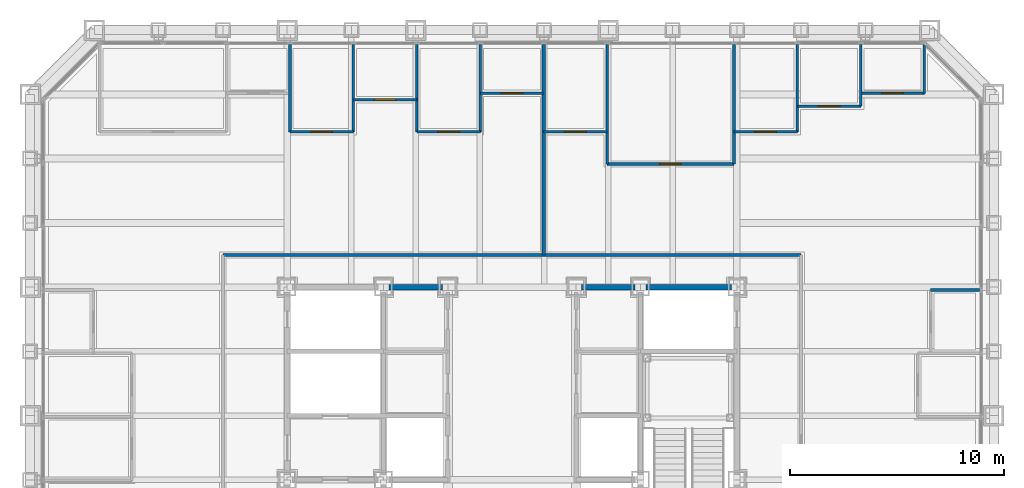
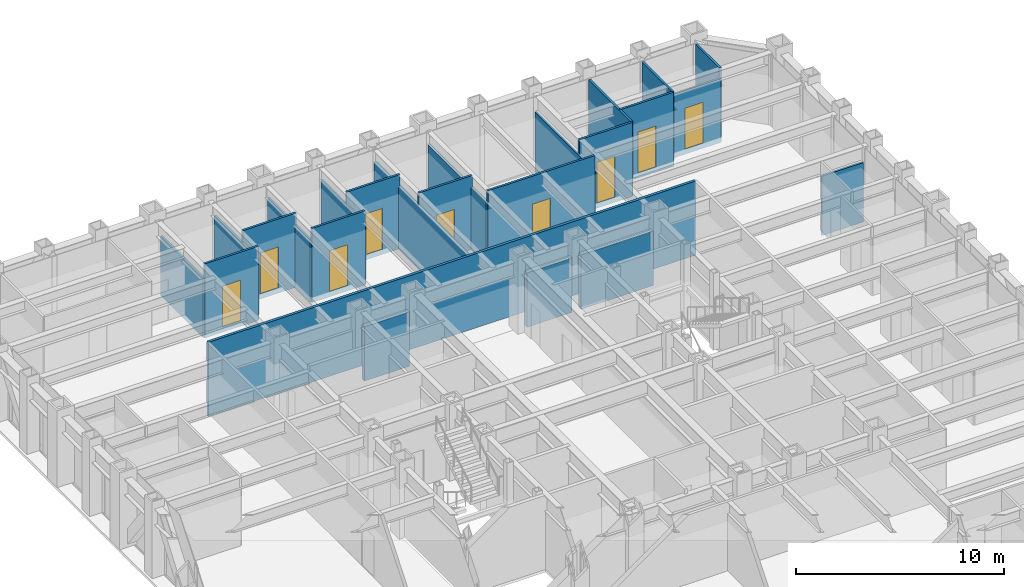
# One storey, part 11 of 16: 24 walls, 9 doors, 9 openings.
"""IFC4 building model written with IfcOpenShell, lengths in metres."""

from ifc_helpers import new_model, si_unit, direction, frame, frame_2d, origin, place, context, subcontext, project, spatial, rectangle, extrude, material, layer, layer_set, type_object, element, fill, save


model = new_model("IFC4")

# Units and contexts
model_context = context("Model", 3, precision=1e-05, world=origin(), true_north=direction((0.0, 1.0)))
body_context = subcontext(model_context, "Body", "Model", "MODEL_VIEW")
ifc_project = project(units=[si_unit("LENGTHUNIT", "METRE"), si_unit("AREAUNIT", "SQUARE_METRE"), si_unit("VOLUMEUNIT", "CUBIC_METRE"), si_unit("PLANEANGLEUNIT", "RADIAN"), si_unit("MASSUNIT", "GRAM", prefix="KILO")], contexts=[model_context])

# Site, building, storey
site_placement = place(None, origin())
site = spatial("IfcSite", under=ifc_project, at=site_placement, CompositionType="ELEMENT")
building_placement = place(site_placement, origin())
building = spatial("IfcBuilding", under=site, at=building_placement, Name="Chuquiago Exchange Tower", CompositionType="ELEMENT")
storey_placement = place(building_placement, frame((0.0, 0.0, 51.300048828125)))
storey = spatial("IfcBuildingStorey", under=building, at=storey_placement, Name="L10", CompositionType="ELEMENT", Elevation=51.300048828125)

# Walls
ifc_material_1 = material(Name="Concrete masonry, fully grouted", Category="masonry")
ifc_layer_1 = layer(ifc_material_1, 0.25)
ifc_layer_set_1 = layer_set([ifc_layer_1], Name="W1 core wall 250")
wall_type_1 = type_object("IfcWallType", Name="W1 core wall 250", PredefinedType="SOLIDWALL", material=ifc_layer_set_1)
for number, where, z_axis, x_axis, name in (
    (1, (16.75, 33.0, 0.0), (0.0, 0.0, 1.0), (1.0, 0.0, 0.0), "CW-L10-11-1"),
    (2, (25.75, 33.0, 0.0), (0.0, 0.0, 1.0), (1.0, 0.0, 0.0), "CW-L10-12-0"),
):
    element("IfcWall", number, at=place(storey_placement, frame(where, z_axis=z_axis, x_axis=x_axis)), inside=storey, type_object=wall_type_1, Name=name, PredefinedType="SOLIDWALL", context=body_context, shape_type="SweptSolid", body=[
        extrude(rectangle(XDim=2.5, YDim=0.25, at=frame_2d((1.25, 0.0))), origin(), (0.0, 0.0, 1.0), 3.181396484375),
    ])
wall_1_placement = place(storey_placement, frame((28.75, 33.0, 0.0), z_axis=(0.0, 0.0, 1.0), x_axis=(1.0, 0.0, 0.0)))
element("IfcWall", 3, at=wall_1_placement, inside=storey, type_object=wall_type_1, Name="CW-L10-12-1", PredefinedType="SOLIDWALL", context=body_context, shape_type="SweptSolid", body=[
    extrude(rectangle(XDim=4.0, YDim=0.25, at=frame_2d((2.0, 0.0))), origin(), (0.0, 0.0, 1.0), 3.181396484375),
])
ifc_material_2 = material(Name="Gypsum board on steel studs, acoustic insulation", Category="steel")
ifc_layer_2 = layer(ifc_material_2, 0.14990234375)
ifc_layer_set_2 = layer_set([ifc_layer_2], Name="W11 corridor wall 150")
wall_type_2 = type_object("IfcWallType", Name="W11 corridor wall 150", PredefinedType="PARTITIONING", material=ifc_layer_set_2)
wall_2_placement = place(storey_placement, frame((9.0, 34.5, -0.300048828125), z_axis=(0.0, 0.0, 1.0), x_axis=(1.0, 0.0, 0.0)))
element("IfcWall", 4, at=wall_2_placement, inside=storey, type_object=wall_type_2, Name="PW-L10-CN", PredefinedType="PARTITIONING", context=body_context, shape_type="SweptSolid", body=[
    extrude(rectangle(XDim=27.0, YDim=0.14990234375, at=frame_2d((13.5, 0.0))), origin(), (0.0, 0.0, 1.0), 4.340087890625),
])
ifc_material_3 = material(Name="Gypsum board on twin steel studs, acoustic insulation", Category="steel")
ifc_layer_3 = layer(ifc_material_3, 0.175048828125)
ifc_layer_set_3 = layer_set([ifc_layer_3], Name="W12 tenant demising wall 175")
wall_type_3 = type_object("IfcWallType", Name="W12 tenant demising wall 175", PredefinedType="PARTITIONING", material=ifc_layer_set_3)
wall_3_placement = place(storey_placement, frame((23.98095703125, 44.342529296875, -0.300048828125), z_axis=(0.0, 0.0, 1.0), x_axis=(0.0, -1.0, 0.0)))
element("IfcWall", 5, at=wall_3_placement, inside=storey, type_object=wall_type_3, Name="PW-L10-DN02398", PredefinedType="PARTITIONING", context=body_context, shape_type="SweptSolid", body=[
    extrude(rectangle(XDim=9.842529296875, YDim=0.175048828125, at=frame_2d((4.92138671875, 0.0))), origin(), (0.0, 0.0, 1.0), 3.646484375),
])
ifc_material_4 = material(Name="Gypsum board on steel studs", Category="steel")
ifc_layer_4 = layer(ifc_material_4, 0.1201171875)
ifc_layer_set_4 = layer_set([ifc_layer_4], Name="W4 partition 120")
wall_type_4 = type_object("IfcWallType", Name="W4 partition 120", PredefinedType="PARTITIONING", material=ifc_layer_set_4)
wall_4_placement = place(storey_placement, frame((44.342529296875, 32.8662109375, -0.300048828125), z_axis=(0.0, 0.0, 1.0), x_axis=(-1.0, 0.0, 0.0)))
element("IfcWall", 6, at=wall_4_placement, inside=storey, type_object=wall_type_4, Name="PW-L10-E03287", PredefinedType="PARTITIONING", context=body_context, shape_type="SweptSolid", body=[
    extrude(rectangle(XDim=2.29248046875, YDim=0.1201171875, at=frame_2d((1.146240234375, 0.0))), origin(), (0.0, 0.0, 1.0), 3.4814453125),
])
wall_5_placement = place(storey_placement, frame((12.1337890625, 44.342529296875, -0.300048828125), z_axis=(0.0, 0.0, 1.0), x_axis=(0.0, -1.0, 0.0)))
element("IfcWall", 7, at=wall_5_placement, inside=storey, type_object=wall_type_4, Name="PW-L10-N01213", PredefinedType="PARTITIONING", context=body_context, shape_type="SweptSolid", body=[
    extrude(rectangle(XDim=4.092529296875, YDim=0.1201171875, at=frame_2d((2.04638671875, 0.0))), origin(), (0.0, 0.0, 1.0), 3.4814453125),
])
for number, where, z_axis, x_axis, name in (
    (8, (15.095703125, 44.342529296875, -0.300048828125), (0.0, 0.0, 1.0), (0.0, -1.0, 0.0), "PW-L10-N01510"),
    (9, (18.057373046875, 44.342529296875, -0.300048828125), (0.0, 0.0, 1.0), (0.0, -1.0, 0.0), "PW-L10-N01806"),
    (10, (21.01904296875, 44.342529296875, -0.300048828125), (0.0, 0.0, 1.0), (0.0, -1.0, 0.0), "PW-L10-N02102"),
):
    element("IfcWall", number, at=place(storey_placement, frame(where, z_axis=z_axis, x_axis=x_axis)), inside=storey, type_object=wall_type_4, Name=name, PredefinedType="PARTITIONING", context=body_context, shape_type="SweptSolid", body=[
        extrude(rectangle(XDim=4.092529296875, YDim=0.1201171875, at=frame_2d((2.04638671875, 0.0))), origin(), (0.0, 0.0, 1.0), 3.646484375),
    ])
wall_6_placement = place(storey_placement, frame((26.942626953125, 44.342529296875, -0.300048828125), z_axis=(0.0, 0.0, 1.0), x_axis=(0.0, -1.0, 0.0)))
element("IfcWall", 11, at=wall_6_placement, inside=storey, type_object=wall_type_4, Name="PW-L10-N02694", PredefinedType="PARTITIONING", context=body_context, shape_type="SweptSolid", body=[
    extrude(rectangle(XDim=5.592529296875, YDim=0.1201171875, at=frame_2d((2.79638671875, 0.0))), origin(), (0.0, 0.0, 1.0), 3.646484375),
])
wall_7_placement = place(storey_placement, frame((32.8662109375, 44.342529296875, -0.300048828125), z_axis=(0.0, 0.0, 1.0), x_axis=(0.0, -1.0, 0.0)))
element("IfcWall", 12, at=wall_7_placement, inside=storey, type_object=wall_type_4, Name="PW-L10-N03287", PredefinedType="PARTITIONING", context=body_context, shape_type="SweptSolid", body=[
    extrude(rectangle(XDim=5.592529296875, YDim=0.1201171875, at=frame_2d((2.79638671875, 0.0))), origin(), (0.0, 0.0, 1.0), 3.4814453125),
])
wall_8_placement = place(storey_placement, frame((35.827880859375, 44.342529296875, -0.300048828125), z_axis=(0.0, 0.0, 1.0), x_axis=(0.0, -1.0, 0.0)))
element("IfcWall", 13, at=wall_8_placement, inside=storey, type_object=wall_type_4, Name="PW-L10-N03583", PredefinedType="PARTITIONING", context=body_context, shape_type="SweptSolid", body=[
    extrude(rectangle(XDim=4.092529296875, YDim=0.1201171875, at=frame_2d((2.04638671875, 0.0))), origin(), (0.0, 0.0, 1.0), 4.340087890625),
])
wall_9_placement = place(storey_placement, frame((38.789794921875, 44.342529296875, -0.300048828125), z_axis=(0.0, 0.0, 1.0), x_axis=(0.0, -1.0, 0.0)))
element("IfcWall", 14, at=wall_9_placement, inside=storey, type_object=wall_type_4, Name="PW-L10-N03879", PredefinedType="PARTITIONING", context=body_context, shape_type="SweptSolid", body=[
    extrude(rectangle(XDim=2.892578125, YDim=0.1201171875, at=frame_2d((1.4462890625, 0.0))), origin(), (0.0, 0.0, 1.0), 4.340087890625),
])
wall_10_placement = place(storey_placement, frame((41.75146484375, 44.333984375, -0.300048828125), z_axis=(0.0, 0.0, 1.0), x_axis=(0.0, -1.0, 0.0)))
element("IfcWall", 15, at=wall_10_placement, inside=storey, type_object=wall_type_4, Name="PW-L10-N04175", PredefinedType="PARTITIONING", context=body_context, shape_type="SweptSolid", body=[
    extrude(rectangle(XDim=2.283935546875, YDim=0.1201171875, at=frame_2d((1.14208984375, 0.0))), origin(), (0.0, 0.0, 1.0), 4.340087890625),
])

# Wall, opening, door
wall_11_placement = place(storey_placement, frame((12.1337890625, 40.25, -0.300048828125), z_axis=(0.0, 0.0, 1.0), x_axis=(1.0, 0.0, 0.0)))
wall_11 = element("IfcWall", 16, at=wall_11_placement, inside=storey, type_object=wall_type_4, Name="PW-L10-NF01213", PredefinedType="PARTITIONING", context=body_context, shape_type="SweptSolid", body=[
    extrude(rectangle(XDim=2.9619140625, YDim=0.1201171875, at=frame_2d((1.48095703125, 0.0))), origin(), (0.0, 0.0, 1.0), 4.340087890625),
])
opening_1_placement = place(wall_11_placement, frame((0.98095703125, 0.0, 0.300048828125)))
opening_1 = element("IfcOpeningElement", 17, at=opening_1_placement, cuts=wall_11, Name="Opening L10-039", PredefinedType="OPENING", context=body_context, shape_type="SweptSolid", body=[
    extrude(rectangle(XDim=1.0, YDim=2.39990234375, at=frame_2d((0.5, 1.199951171875))), frame((0.0, 0.070068359375, 0.0), z_axis=(0.0, -1.0, 0.0), x_axis=(1.0, 0.0, 0.0)), (0.0, 0.0, 1.0), 0.14013671875),
])
ifc_material_5 = material(Name="Timber door, laminate faced", Category="wood")
door_type_1 = type_object("IfcDoorType", Name="D9 room door 1000x2400", OperationType="SINGLE_SWING_LEFT", PredefinedType="DOOR", material=ifc_material_5)
door_1_placement = place(opening_1_placement, origin())
door_1 = element("IfcDoor", 18, at=door_1_placement, inside=storey, type_object=door_type_1, Name="Office door", OperationType="SINGLE_SWING_RIGHT", OverallHeight=2.39990234375, OverallWidth=1.0, PredefinedType="DOOR", context=body_context, shape_type="SweptSolid", body=[
    extrude(rectangle(XDim=1.0, YDim=2.39990234375, at=frame_2d((0.5, 1.199951171875))), frame((0.0, 0.02490234375, 0.0), z_axis=(0.0, -1.0, 0.0), x_axis=(1.0, 0.0, 0.0)), (0.0, 0.0, 1.0), 0.050048828125),
])
fill(opening_1, door_1)

wall_12_placement = place(storey_placement, frame((15.095703125, 41.75, -0.300048828125), z_axis=(0.0, 0.0, 1.0), x_axis=(1.0, 0.0, 0.0)))
wall_12 = element("IfcWall", 19, at=wall_12_placement, inside=storey, type_object=wall_type_4, Name="PW-L10-NF01510", PredefinedType="PARTITIONING", context=body_context, shape_type="SweptSolid", body=[
    extrude(rectangle(XDim=2.961669921875, YDim=0.1201171875, at=frame_2d((1.48095703125, 0.0))), origin(), (0.0, 0.0, 1.0), 4.340087890625),
])
opening_2_placement = place(wall_12_placement, frame((0.98095703125, 0.0, 0.300048828125)))
opening_2 = element("IfcOpeningElement", 20, at=opening_2_placement, cuts=wall_12, Name="Opening L10-040", PredefinedType="OPENING", context=body_context, shape_type="SweptSolid", body=[
    extrude(rectangle(XDim=1.0, YDim=2.39990234375, at=frame_2d((0.5, 1.199951171875))), frame((0.0, 0.070068359375, 0.0), z_axis=(0.0, -1.0, 0.0), x_axis=(1.0, 0.0, 0.0)), (0.0, 0.0, 1.0), 0.14013671875),
])
door_2_placement = place(opening_2_placement, origin())
door_2 = element("IfcDoor", 21, at=door_2_placement, inside=storey, type_object=door_type_1, Name="Store door", OperationType="SINGLE_SWING_LEFT", OverallHeight=2.39990234375, OverallWidth=1.0, PredefinedType="DOOR", context=body_context, shape_type="SweptSolid", body=[
    extrude(rectangle(XDim=1.0, YDim=2.39990234375, at=frame_2d((0.5, 1.199951171875))), frame((0.0, 0.02490234375, 0.0), z_axis=(0.0, -1.0, 0.0), x_axis=(1.0, 0.0, 0.0)), (0.0, 0.0, 1.0), 0.050048828125),
])
fill(opening_2, door_2)

wall_13_placement = place(storey_placement, frame((18.057373046875, 40.25, -0.300048828125), z_axis=(0.0, 0.0, 1.0), x_axis=(1.0, 0.0, 0.0)))
wall_13 = element("IfcWall", 22, at=wall_13_placement, inside=storey, type_object=wall_type_4, Name="PW-L10-NF01806", PredefinedType="PARTITIONING", context=body_context, shape_type="SweptSolid", body=[
    extrude(rectangle(XDim=2.961669921875, YDim=0.1201171875, at=frame_2d((1.48095703125, 0.0))), origin(), (0.0, 0.0, 1.0), 4.340087890625),
])
opening_3_placement = place(wall_13_placement, frame((0.98095703125, 0.0, 0.300048828125)))
opening_3 = element("IfcOpeningElement", 23, at=opening_3_placement, cuts=wall_13, Name="Opening L10-041", PredefinedType="OPENING", context=body_context, shape_type="SweptSolid", body=[
    extrude(rectangle(XDim=1.0, YDim=2.39990234375, at=frame_2d((0.5, 1.199951171875))), frame((0.0, 0.070068359375, 0.0), z_axis=(0.0, -1.0, 0.0), x_axis=(1.0, 0.0, 0.0)), (0.0, 0.0, 1.0), 0.14013671875),
])
door_3_placement = place(opening_3_placement, origin())
door_3 = element("IfcDoor", 24, at=door_3_placement, inside=storey, type_object=door_type_1, Name="Trading support room door", OperationType="SINGLE_SWING_RIGHT", OverallHeight=2.39990234375, OverallWidth=1.0, PredefinedType="DOOR", context=body_context, shape_type="SweptSolid", body=[
    extrude(rectangle(XDim=1.0, YDim=2.39990234375, at=frame_2d((0.5, 1.199951171875))), frame((0.0, 0.02490234375, 0.0), z_axis=(0.0, -1.0, 0.0), x_axis=(1.0, 0.0, 0.0)), (0.0, 0.0, 1.0), 0.050048828125),
])
fill(opening_3, door_3)

wall_14_placement = place(storey_placement, frame((21.01904296875, 42.050048828125, -0.300048828125), z_axis=(0.0, 0.0, 1.0), x_axis=(1.0, 0.0, 0.0)))
wall_14 = element("IfcWall", 25, at=wall_14_placement, inside=storey, type_object=wall_type_4, Name="PW-L10-NF02102", PredefinedType="PARTITIONING", context=body_context, shape_type="SweptSolid", body=[
    extrude(rectangle(XDim=2.9619140625, YDim=0.1201171875, at=frame_2d((1.48095703125, 0.0))), origin(), (0.0, 0.0, 1.0), 4.340087890625),
])
opening_4_placement = place(wall_14_placement, frame((0.98095703125, 0.0, 0.300048828125)))
opening_4 = element("IfcOpeningElement", 26, at=opening_4_placement, cuts=wall_14, Name="Opening L10-042", PredefinedType="OPENING", context=body_context, shape_type="SweptSolid", body=[
    extrude(rectangle(XDim=1.0, YDim=2.39990234375, at=frame_2d((0.5, 1.199951171875))), frame((0.0, 0.070068359375, 0.0), z_axis=(0.0, -1.0, 0.0), x_axis=(1.0, 0.0, 0.0)), (0.0, 0.0, 1.0), 0.14013671875),
])
ifc_material_6 = material(Name="Timber frame door, full height glazed panel", Category="wood")
door_type_2 = type_object("IfcDoorType", Name="D14 glazed meeting room door 1000x2400", OperationType="SINGLE_SWING_LEFT", PredefinedType="DOOR", material=ifc_material_6)
door_4_placement = place(opening_4_placement, origin())
door_4 = element("IfcDoor", 27, at=door_4_placement, inside=storey, type_object=door_type_2, Name="Focus room door", OperationType="SINGLE_SWING_RIGHT", OverallHeight=2.39990234375, OverallWidth=1.0, PredefinedType="DOOR", context=body_context, shape_type="SweptSolid", body=[
    extrude(rectangle(XDim=1.0, YDim=2.39990234375, at=frame_2d((0.5, 1.199951171875))), frame((0.0, 0.02490234375, 0.0), z_axis=(0.0, -1.0, 0.0), x_axis=(1.0, 0.0, 0.0)), (0.0, 0.0, 1.0), 0.050048828125),
])
fill(opening_4, door_4)

wall_15_placement = place(storey_placement, frame((23.98095703125, 40.25, -0.300048828125), z_axis=(0.0, 0.0, 1.0), x_axis=(1.0, 0.0, 0.0)))
wall_15 = element("IfcWall", 28, at=wall_15_placement, inside=storey, type_object=wall_type_4, Name="PW-L10-NF02398", PredefinedType="PARTITIONING", context=body_context, shape_type="SweptSolid", body=[
    extrude(rectangle(XDim=2.961669921875, YDim=0.1201171875, at=frame_2d((1.48095703125, 0.0))), origin(), (0.0, 0.0, 1.0), 4.340087890625),
])
opening_5_placement = place(wall_15_placement, frame((0.98095703125, 0.0, 0.300048828125)))
opening_5 = element("IfcOpeningElement", 29, at=opening_5_placement, cuts=wall_15, Name="Opening L10-043", PredefinedType="OPENING", context=body_context, shape_type="SweptSolid", body=[
    extrude(rectangle(XDim=1.0, YDim=2.39990234375, at=frame_2d((0.5, 1.199951171875))), frame((0.0, 0.070068359375, 0.0), z_axis=(0.0, -1.0, 0.0), x_axis=(1.0, 0.0, 0.0)), (0.0, 0.0, 1.0), 0.14013671875),
])
door_5_placement = place(opening_5_placement, origin())
door_5 = element("IfcDoor", 30, at=door_5_placement, inside=storey, type_object=door_type_1, Name="Office door", OperationType="SINGLE_SWING_LEFT", OverallHeight=2.39990234375, OverallWidth=1.0, PredefinedType="DOOR", context=body_context, shape_type="SweptSolid", body=[
    extrude(rectangle(XDim=1.0, YDim=2.39990234375, at=frame_2d((0.5, 1.199951171875))), frame((0.0, 0.02490234375, 0.0), z_axis=(0.0, -1.0, 0.0), x_axis=(1.0, 0.0, 0.0)), (0.0, 0.0, 1.0), 0.050048828125),
])
fill(opening_5, door_5)

wall_16_placement = place(storey_placement, frame((26.942626953125, 38.75, -0.300048828125), z_axis=(0.0, 0.0, 1.0), x_axis=(1.0, 0.0, 0.0)))
wall_16 = element("IfcWall", 31, at=wall_16_placement, inside=storey, type_object=wall_type_4, Name="PW-L10-NF02694", PredefinedType="PARTITIONING", context=body_context, shape_type="SweptSolid", body=[
    extrude(rectangle(XDim=5.923583984375, YDim=0.1201171875, at=frame_2d((2.9619140625, 0.0))), origin(), (0.0, 0.0, 1.0), 4.340087890625),
])
opening_6_placement = place(wall_16_placement, frame((2.4619140625, 0.0, 0.300048828125)))
opening_6 = element("IfcOpeningElement", 32, at=opening_6_placement, cuts=wall_16, Name="Opening L10-044", PredefinedType="OPENING", context=body_context, shape_type="SweptSolid", body=[
    extrude(rectangle(XDim=1.0, YDim=2.39990234375, at=frame_2d((0.5, 1.199951171875))), frame((0.0, 0.070068359375, 0.0), z_axis=(0.0, -1.0, 0.0), x_axis=(1.0, 0.0, 0.0)), (0.0, 0.0, 1.0), 0.14013671875),
])
door_6_placement = place(opening_6_placement, origin())
door_6 = element("IfcDoor", 33, at=door_6_placement, inside=storey, type_object=door_type_1, Name="Market data room door", OperationType="SINGLE_SWING_LEFT", OverallHeight=2.39990234375, OverallWidth=1.0, PredefinedType="DOOR", context=body_context, shape_type="SweptSolid", body=[
    extrude(rectangle(XDim=1.0, YDim=2.39990234375, at=frame_2d((0.5, 1.199951171875))), frame((0.0, 0.02490234375, 0.0), z_axis=(0.0, -1.0, 0.0), x_axis=(1.0, 0.0, 0.0)), (0.0, 0.0, 1.0), 0.050048828125),
])
fill(opening_6, door_6)

wall_17_placement = place(storey_placement, frame((32.8662109375, 40.25, -0.300048828125), z_axis=(0.0, 0.0, 1.0), x_axis=(1.0, 0.0, 0.0)))
wall_17 = element("IfcWall", 34, at=wall_17_placement, inside=storey, type_object=wall_type_4, Name="PW-L10-NF03287", PredefinedType="PARTITIONING", context=body_context, shape_type="SweptSolid", body=[
    extrude(rectangle(XDim=2.961669921875, YDim=0.1201171875, at=frame_2d((1.48095703125, 0.0))), origin(), (0.0, 0.0, 1.0), 4.340087890625),
])
opening_7_placement = place(wall_17_placement, frame((0.98095703125, 0.0, 0.300048828125)))
opening_7 = element("IfcOpeningElement", 35, at=opening_7_placement, cuts=wall_17, Name="Opening L10-045", PredefinedType="OPENING", context=body_context, shape_type="SweptSolid", body=[
    extrude(rectangle(XDim=1.0, YDim=2.39990234375, at=frame_2d((0.5, 1.199951171875))), frame((0.0, 0.070068359375, 0.0), z_axis=(0.0, -1.0, 0.0), x_axis=(1.0, 0.0, 0.0)), (0.0, 0.0, 1.0), 0.14013671875),
])
door_7_placement = place(opening_7_placement, origin())
door_7 = element("IfcDoor", 36, at=door_7_placement, inside=storey, type_object=door_type_1, Name="Office door", OperationType="SINGLE_SWING_RIGHT", OverallHeight=2.39990234375, OverallWidth=1.0, PredefinedType="DOOR", context=body_context, shape_type="SweptSolid", body=[
    extrude(rectangle(XDim=1.0, YDim=2.39990234375, at=frame_2d((0.5, 1.199951171875))), frame((0.0, 0.02490234375, 0.0), z_axis=(0.0, -1.0, 0.0), x_axis=(1.0, 0.0, 0.0)), (0.0, 0.0, 1.0), 0.050048828125),
])
fill(opening_7, door_7)

wall_18_placement = place(storey_placement, frame((35.827880859375, 41.449951171875, -0.300048828125), z_axis=(0.0, 0.0, 1.0), x_axis=(1.0, 0.0, 0.0)))
wall_18 = element("IfcWall", 37, at=wall_18_placement, inside=storey, type_object=wall_type_4, Name="PW-L10-NF03583", PredefinedType="PARTITIONING", context=body_context, shape_type="SweptSolid", body=[
    extrude(rectangle(XDim=2.9619140625, YDim=0.1201171875, at=frame_2d((1.48095703125, 0.0))), origin(), (0.0, 0.0, 1.0), 4.340087890625),
])
opening_8_placement = place(wall_18_placement, frame((0.98095703125, 0.0, 0.300048828125)))
opening_8 = element("IfcOpeningElement", 38, at=opening_8_placement, cuts=wall_18, Name="Opening L10-046", PredefinedType="OPENING", context=body_context, shape_type="SweptSolid", body=[
    extrude(rectangle(XDim=1.0, YDim=2.39990234375, at=frame_2d((0.5, 1.199951171875))), frame((0.0, 0.070068359375, 0.0), z_axis=(0.0, -1.0, 0.0), x_axis=(1.0, 0.0, 0.0)), (0.0, 0.0, 1.0), 0.14013671875),
])
door_8_placement = place(opening_8_placement, origin())
door_8 = element("IfcDoor", 39, at=door_8_placement, inside=storey, type_object=door_type_1, Name="Pantry door", OperationType="SINGLE_SWING_LEFT", OverallHeight=2.39990234375, OverallWidth=1.0, PredefinedType="DOOR", context=body_context, shape_type="SweptSolid", body=[
    extrude(rectangle(XDim=1.0, YDim=2.39990234375, at=frame_2d((0.5, 1.199951171875))), frame((0.0, 0.02490234375, 0.0), z_axis=(0.0, -1.0, 0.0), x_axis=(1.0, 0.0, 0.0)), (0.0, 0.0, 1.0), 0.050048828125),
])
fill(opening_8, door_8)

wall_19_placement = place(storey_placement, frame((38.789794921875, 42.050048828125, -0.300048828125), z_axis=(0.0, 0.0, 1.0), x_axis=(1.0, 0.0, 0.0)))
wall_19 = element("IfcWall", 40, at=wall_19_placement, inside=storey, type_object=wall_type_4, Name="PW-L10-NF03879", PredefinedType="PARTITIONING", context=body_context, shape_type="SweptSolid", body=[
    extrude(rectangle(XDim=2.961669921875, YDim=0.1201171875, at=frame_2d((1.48095703125, 0.0))), origin(), (0.0, 0.0, 1.0), 3.722900390625),
])
opening_9_placement = place(wall_19_placement, frame((0.98095703125, 0.0, 0.300048828125)))
opening_9 = element("IfcOpeningElement", 41, at=opening_9_placement, cuts=wall_19, Name="Opening L10-047", PredefinedType="OPENING", context=body_context, shape_type="SweptSolid", body=[
    extrude(rectangle(XDim=1.0, YDim=2.39990234375, at=frame_2d((0.5, 1.199951171875))), frame((0.0, 0.070068359375, 0.0), z_axis=(0.0, -1.0, 0.0), x_axis=(1.0, 0.0, 0.0)), (0.0, 0.0, 1.0), 0.14013671875),
])
door_9_placement = place(opening_9_placement, origin())
door_9 = element("IfcDoor", 42, at=door_9_placement, inside=storey, type_object=door_type_2, Name="Focus room door", OperationType="SINGLE_SWING_RIGHT", OverallHeight=2.39990234375, OverallWidth=1.0, PredefinedType="DOOR", context=body_context, shape_type="SweptSolid", body=[
    extrude(rectangle(XDim=1.0, YDim=2.39990234375, at=frame_2d((0.5, 1.199951171875))), frame((0.0, 0.02490234375, 0.0), z_axis=(0.0, -1.0, 0.0), x_axis=(1.0, 0.0, 0.0)), (0.0, 0.0, 1.0), 0.050048828125),
])
fill(opening_9, door_9)

save(model, "model.ifc")
